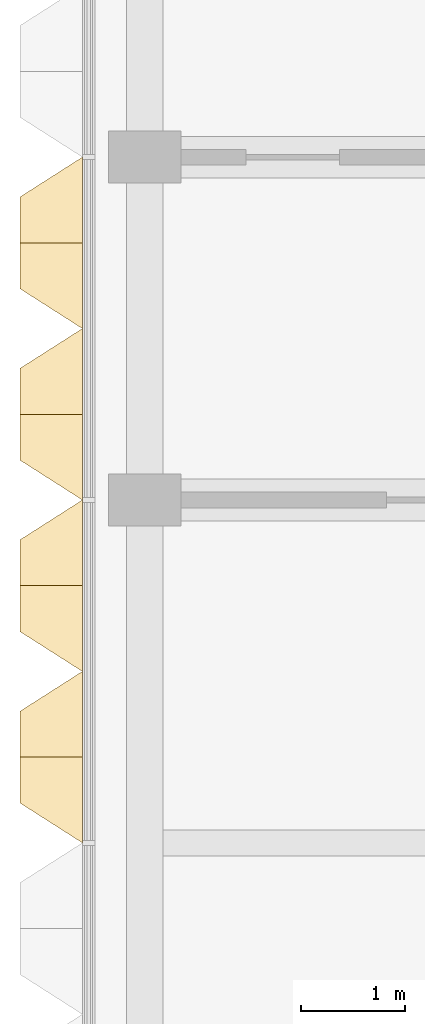
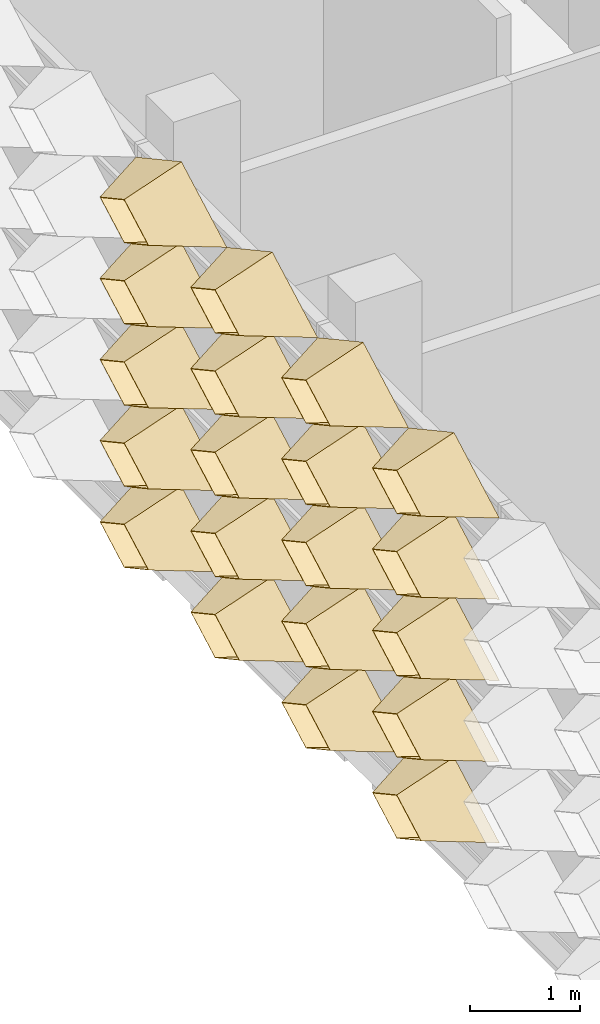
# One storey, part 19 of 28: 20 coverings.
"""IFC4 building model written with IfcOpenShell, lengths in metres."""

from ifc_helpers import new_model, entity, si_unit, direction, frame, origin, place, context, subcontext, project, spatial, material, layer, layer_set, type_object, element, save


model = new_model("IFC4")

# Units and contexts
model_context = context("Model", 3, precision=1e-05, world=origin(), true_north=direction((0.0, 1.0)))
body_context = subcontext(model_context, "Body", "Model", "MODEL_VIEW")
ifc_project = project(units=[si_unit("LENGTHUNIT", "METRE"), si_unit("AREAUNIT", "SQUARE_METRE"), si_unit("VOLUMEUNIT", "CUBIC_METRE"), si_unit("PLANEANGLEUNIT", "RADIAN"), si_unit("MASSUNIT", "GRAM", prefix="KILO")], contexts=[model_context])

# Site, building, storey
site_placement = place(None, origin())
site = spatial("IfcSite", under=ifc_project, at=site_placement, CompositionType="ELEMENT")
building_placement = place(site_placement, origin())
building = spatial("IfcBuilding", under=site, at=building_placement, Name="Lantern Court Research Institute", CompositionType="ELEMENT")
storey_placement = place(building_placement, frame((0.0, 0.0, 36.89990234375)))
storey = spatial("IfcBuildingStorey", under=building, at=storey_placement, Name="L08", CompositionType="ELEMENT", Elevation=36.89990234375)

# Coverings
ifc_material = material(Name="Anodised aluminium", Category="aluminium")
ifc_layer = layer(ifc_material, 0.01611328125)
ifc_layer_set = layer_set([ifc_layer], Name="Anodised aluminium")
covering_type = type_object("IfcCoveringType", Name="Fin cassette 1650 x 900 x 600 aluminium", PredefinedType="CLADDING", material=ifc_layer_set)
covering_1_placement = place(storey_placement, frame((52.199951171875, 7.425048828125, 0.4501953125), z_axis=(-1.0, 0.0, 0.0), x_axis=(0.0, -1.0, 0.0)))
cartesian_point_1 = entity("IfcCartesianPoint", [0.824951171875, 0.0])
cartesian_point_2 = entity("IfcCartesianPoint", [0.79150390625, 0.0])
cartesian_point_3 = entity("IfcCartesianPoint", [0.44189453125, 0.0])
cartesian_point_4 = entity("IfcCartesianPoint", [0.43359375, 0.0])
element("IfcCovering", 1, at=covering_1_placement, inside=storey, type_object=covering_type, Name="Fin cassette V5W-L08 1.5", PredefinedType="CLADDING", context=body_context, shape_type="SweptSolid", body=[
    entity("IfcExtrudedAreaSolidTapered", entity("IfcArbitraryProfileDefWithVoids", "AREA", None, entity("IfcPolyline", [cartesian_point_1, entity("IfcCartesianPoint", [0.0, 0.449951171875]), entity("IfcCartesianPoint", [-0.824951171875, 0.0]), entity("IfcCartesianPoint", [0.0, -0.449951171875]), cartesian_point_1]), [entity("IfcPolyline", [cartesian_point_2, entity("IfcCartesianPoint", [0.0, 0.431884765625]), entity("IfcCartesianPoint", [-0.79150390625, 0.0]), entity("IfcCartesianPoint", [0.0, -0.431884765625]), cartesian_point_2])]), entity("IfcAxis2Placement3D", entity("IfcCartesianPoint", [0.0, 0.0, 0.0])), entity("IfcDirection", [0.0, 0.0, 1.0]), 0.60009765625, entity("IfcArbitraryProfileDefWithVoids", "AREA", None, entity("IfcPolyline", [cartesian_point_3, entity("IfcCartesianPoint", [0.0, 0.240966796875]), entity("IfcCartesianPoint", [-0.44189453125, 0.0]), entity("IfcCartesianPoint", [0.0, -0.240966796875]), cartesian_point_3]), [entity("IfcPolyline", [cartesian_point_4, entity("IfcCartesianPoint", [0.0, 0.236572265625]), entity("IfcCartesianPoint", [-0.43359375, 0.0]), entity("IfcCartesianPoint", [0.0, -0.236572265625]), cartesian_point_4])])),
])
covering_2_placement = place(storey_placement, frame((52.199951171875, 9.074951171875, 0.4501953125), z_axis=(-1.0, 0.0, 0.0), x_axis=(0.0, -1.0, 0.0)))
cartesian_point_5 = entity("IfcCartesianPoint", [0.824951171875, 0.0])
cartesian_point_6 = entity("IfcCartesianPoint", [0.79150390625, 0.0])
cartesian_point_7 = entity("IfcCartesianPoint", [0.44189453125, 0.0])
cartesian_point_8 = entity("IfcCartesianPoint", [0.43359375, 0.0])
element("IfcCovering", 2, at=covering_2_placement, inside=storey, type_object=covering_type, Name="Fin cassette V5W-L08 1.6", PredefinedType="CLADDING", context=body_context, shape_type="SweptSolid", body=[
    entity("IfcExtrudedAreaSolidTapered", entity("IfcArbitraryProfileDefWithVoids", "AREA", None, entity("IfcPolyline", [cartesian_point_5, entity("IfcCartesianPoint", [0.0, 0.449951171875]), entity("IfcCartesianPoint", [-0.824951171875, 0.0]), entity("IfcCartesianPoint", [0.0, -0.449951171875]), cartesian_point_5]), [entity("IfcPolyline", [cartesian_point_6, entity("IfcCartesianPoint", [0.0, 0.431884765625]), entity("IfcCartesianPoint", [-0.79150390625, 0.0]), entity("IfcCartesianPoint", [0.0, -0.431884765625]), cartesian_point_6])]), entity("IfcAxis2Placement3D", entity("IfcCartesianPoint", [0.0, 0.0, 0.0])), entity("IfcDirection", [0.0, 0.0, 1.0]), 0.60009765625, entity("IfcArbitraryProfileDefWithVoids", "AREA", None, entity("IfcPolyline", [cartesian_point_7, entity("IfcCartesianPoint", [0.0, 0.240966796875]), entity("IfcCartesianPoint", [-0.44189453125, 0.0]), entity("IfcCartesianPoint", [0.0, -0.240966796875]), cartesian_point_7]), [entity("IfcPolyline", [cartesian_point_8, entity("IfcCartesianPoint", [0.0, 0.236572265625]), entity("IfcCartesianPoint", [-0.43359375, 0.0]), entity("IfcCartesianPoint", [0.0, -0.236572265625]), cartesian_point_8])])),
])
covering_3_placement = place(storey_placement, frame((52.199951171875, 10.72509765625, 0.4501953125), z_axis=(-1.0, 0.0, 0.0), x_axis=(0.0, -1.0, 0.0)))
cartesian_point_9 = entity("IfcCartesianPoint", [0.824951171875, 0.0])
cartesian_point_10 = entity("IfcCartesianPoint", [0.79150390625, 0.0])
cartesian_point_11 = entity("IfcCartesianPoint", [0.44189453125, 0.0])
cartesian_point_12 = entity("IfcCartesianPoint", [0.43359375, 0.0])
element("IfcCovering", 3, at=covering_3_placement, inside=storey, type_object=covering_type, Name="Fin cassette V5W-L08 1.7", PredefinedType="CLADDING", context=body_context, shape_type="SweptSolid", body=[
    entity("IfcExtrudedAreaSolidTapered", entity("IfcArbitraryProfileDefWithVoids", "AREA", None, entity("IfcPolyline", [cartesian_point_9, entity("IfcCartesianPoint", [0.0, 0.449951171875]), entity("IfcCartesianPoint", [-0.824951171875, 0.0]), entity("IfcCartesianPoint", [0.0, -0.449951171875]), cartesian_point_9]), [entity("IfcPolyline", [cartesian_point_10, entity("IfcCartesianPoint", [0.0, 0.431884765625]), entity("IfcCartesianPoint", [-0.79150390625, 0.0]), entity("IfcCartesianPoint", [0.0, -0.431884765625]), cartesian_point_10])]), entity("IfcAxis2Placement3D", entity("IfcCartesianPoint", [0.0, 0.0, 0.0])), entity("IfcDirection", [0.0, 0.0, 1.0]), 0.60009765625, entity("IfcArbitraryProfileDefWithVoids", "AREA", None, entity("IfcPolyline", [cartesian_point_11, entity("IfcCartesianPoint", [0.0, 0.240966796875]), entity("IfcCartesianPoint", [-0.44189453125, 0.0]), entity("IfcCartesianPoint", [0.0, -0.240966796875]), cartesian_point_11]), [entity("IfcPolyline", [cartesian_point_12, entity("IfcCartesianPoint", [0.0, 0.236572265625]), entity("IfcCartesianPoint", [-0.43359375, 0.0]), entity("IfcCartesianPoint", [0.0, -0.236572265625]), cartesian_point_12])])),
])
covering_4_placement = place(storey_placement, frame((52.199951171875, 12.375, 0.4501953125), z_axis=(-1.0, 0.0, 0.0), x_axis=(0.0, -1.0, 0.0)))
cartesian_point_13 = entity("IfcCartesianPoint", [0.824951171875, 0.0])
cartesian_point_14 = entity("IfcCartesianPoint", [0.79150390625, 0.0])
cartesian_point_15 = entity("IfcCartesianPoint", [0.44189453125, 0.0])
cartesian_point_16 = entity("IfcCartesianPoint", [0.43359375, 0.0])
element("IfcCovering", 4, at=covering_4_placement, inside=storey, type_object=covering_type, Name="Fin cassette V5W-L08 1.8", PredefinedType="CLADDING", context=body_context, shape_type="SweptSolid", body=[
    entity("IfcExtrudedAreaSolidTapered", entity("IfcArbitraryProfileDefWithVoids", "AREA", None, entity("IfcPolyline", [cartesian_point_13, entity("IfcCartesianPoint", [0.0, 0.449951171875]), entity("IfcCartesianPoint", [-0.824951171875, 0.0]), entity("IfcCartesianPoint", [0.0, -0.449951171875]), cartesian_point_13]), [entity("IfcPolyline", [cartesian_point_14, entity("IfcCartesianPoint", [0.0, 0.431884765625]), entity("IfcCartesianPoint", [-0.79150390625, 0.0]), entity("IfcCartesianPoint", [0.0, -0.431884765625]), cartesian_point_14])]), entity("IfcAxis2Placement3D", entity("IfcCartesianPoint", [0.0, 0.0, 0.0])), entity("IfcDirection", [0.0, 0.0, 1.0]), 0.60009765625, entity("IfcArbitraryProfileDefWithVoids", "AREA", None, entity("IfcPolyline", [cartesian_point_15, entity("IfcCartesianPoint", [0.0, 0.240966796875]), entity("IfcCartesianPoint", [-0.44189453125, 0.0]), entity("IfcCartesianPoint", [0.0, -0.240966796875]), cartesian_point_15]), [entity("IfcPolyline", [cartesian_point_16, entity("IfcCartesianPoint", [0.0, 0.236572265625]), entity("IfcCartesianPoint", [-0.43359375, 0.0]), entity("IfcCartesianPoint", [0.0, -0.236572265625]), cartesian_point_16])])),
])
covering_5_placement = place(storey_placement, frame((52.199951171875, 7.425048828125, 1.35009765625), z_axis=(-1.0, 0.0, 0.0), x_axis=(0.0, -1.0, 0.0)))
cartesian_point_17 = entity("IfcCartesianPoint", [0.824951171875, 0.0])
cartesian_point_18 = entity("IfcCartesianPoint", [0.79150390625, 0.0])
cartesian_point_19 = entity("IfcCartesianPoint", [0.44189453125, 0.0])
cartesian_point_20 = entity("IfcCartesianPoint", [0.43359375, 0.0])
element("IfcCovering", 5, at=covering_5_placement, inside=storey, type_object=covering_type, Name="Fin cassette V5W-L08 2.5", PredefinedType="CLADDING", context=body_context, shape_type="SweptSolid", body=[
    entity("IfcExtrudedAreaSolidTapered", entity("IfcArbitraryProfileDefWithVoids", "AREA", None, entity("IfcPolyline", [cartesian_point_17, entity("IfcCartesianPoint", [0.0, 0.449951171875]), entity("IfcCartesianPoint", [-0.824951171875, 0.0]), entity("IfcCartesianPoint", [0.0, -0.449951171875]), cartesian_point_17]), [entity("IfcPolyline", [cartesian_point_18, entity("IfcCartesianPoint", [0.0, 0.431884765625]), entity("IfcCartesianPoint", [-0.79150390625, 0.0]), entity("IfcCartesianPoint", [0.0, -0.431884765625]), cartesian_point_18])]), entity("IfcAxis2Placement3D", entity("IfcCartesianPoint", [0.0, 0.0, 0.0])), entity("IfcDirection", [0.0, 0.0, 1.0]), 0.60009765625, entity("IfcArbitraryProfileDefWithVoids", "AREA", None, entity("IfcPolyline", [cartesian_point_19, entity("IfcCartesianPoint", [0.0, 0.240966796875]), entity("IfcCartesianPoint", [-0.44189453125, 0.0]), entity("IfcCartesianPoint", [0.0, -0.240966796875]), cartesian_point_19]), [entity("IfcPolyline", [cartesian_point_20, entity("IfcCartesianPoint", [0.0, 0.236572265625]), entity("IfcCartesianPoint", [-0.43359375, 0.0]), entity("IfcCartesianPoint", [0.0, -0.236572265625]), cartesian_point_20])])),
])
covering_6_placement = place(storey_placement, frame((52.199951171875, 9.074951171875, 1.35009765625), z_axis=(-1.0, 0.0, 0.0), x_axis=(0.0, -1.0, 0.0)))
cartesian_point_21 = entity("IfcCartesianPoint", [0.824951171875, 0.0])
cartesian_point_22 = entity("IfcCartesianPoint", [0.79150390625, 0.0])
cartesian_point_23 = entity("IfcCartesianPoint", [0.44189453125, 0.0])
cartesian_point_24 = entity("IfcCartesianPoint", [0.43359375, 0.0])
element("IfcCovering", 6, at=covering_6_placement, inside=storey, type_object=covering_type, Name="Fin cassette V5W-L08 2.6", PredefinedType="CLADDING", context=body_context, shape_type="SweptSolid", body=[
    entity("IfcExtrudedAreaSolidTapered", entity("IfcArbitraryProfileDefWithVoids", "AREA", None, entity("IfcPolyline", [cartesian_point_21, entity("IfcCartesianPoint", [0.0, 0.449951171875]), entity("IfcCartesianPoint", [-0.824951171875, 0.0]), entity("IfcCartesianPoint", [0.0, -0.449951171875]), cartesian_point_21]), [entity("IfcPolyline", [cartesian_point_22, entity("IfcCartesianPoint", [0.0, 0.431884765625]), entity("IfcCartesianPoint", [-0.79150390625, 0.0]), entity("IfcCartesianPoint", [0.0, -0.431884765625]), cartesian_point_22])]), entity("IfcAxis2Placement3D", entity("IfcCartesianPoint", [0.0, 0.0, 0.0])), entity("IfcDirection", [0.0, 0.0, 1.0]), 0.60009765625, entity("IfcArbitraryProfileDefWithVoids", "AREA", None, entity("IfcPolyline", [cartesian_point_23, entity("IfcCartesianPoint", [0.0, 0.240966796875]), entity("IfcCartesianPoint", [-0.44189453125, 0.0]), entity("IfcCartesianPoint", [0.0, -0.240966796875]), cartesian_point_23]), [entity("IfcPolyline", [cartesian_point_24, entity("IfcCartesianPoint", [0.0, 0.236572265625]), entity("IfcCartesianPoint", [-0.43359375, 0.0]), entity("IfcCartesianPoint", [0.0, -0.236572265625]), cartesian_point_24])])),
])
covering_7_placement = place(storey_placement, frame((52.199951171875, 10.72509765625, 1.35009765625), z_axis=(-1.0, 0.0, 0.0), x_axis=(0.0, -1.0, 0.0)))
cartesian_point_25 = entity("IfcCartesianPoint", [0.824951171875, 0.0])
cartesian_point_26 = entity("IfcCartesianPoint", [0.79150390625, 0.0])
cartesian_point_27 = entity("IfcCartesianPoint", [0.44189453125, 0.0])
cartesian_point_28 = entity("IfcCartesianPoint", [0.43359375, 0.0])
element("IfcCovering", 7, at=covering_7_placement, inside=storey, type_object=covering_type, Name="Fin cassette V5W-L08 2.7", PredefinedType="CLADDING", context=body_context, shape_type="SweptSolid", body=[
    entity("IfcExtrudedAreaSolidTapered", entity("IfcArbitraryProfileDefWithVoids", "AREA", None, entity("IfcPolyline", [cartesian_point_25, entity("IfcCartesianPoint", [0.0, 0.449951171875]), entity("IfcCartesianPoint", [-0.824951171875, 0.0]), entity("IfcCartesianPoint", [0.0, -0.449951171875]), cartesian_point_25]), [entity("IfcPolyline", [cartesian_point_26, entity("IfcCartesianPoint", [0.0, 0.431884765625]), entity("IfcCartesianPoint", [-0.79150390625, 0.0]), entity("IfcCartesianPoint", [0.0, -0.431884765625]), cartesian_point_26])]), entity("IfcAxis2Placement3D", entity("IfcCartesianPoint", [0.0, 0.0, 0.0])), entity("IfcDirection", [0.0, 0.0, 1.0]), 0.60009765625, entity("IfcArbitraryProfileDefWithVoids", "AREA", None, entity("IfcPolyline", [cartesian_point_27, entity("IfcCartesianPoint", [0.0, 0.240966796875]), entity("IfcCartesianPoint", [-0.44189453125, 0.0]), entity("IfcCartesianPoint", [0.0, -0.240966796875]), cartesian_point_27]), [entity("IfcPolyline", [cartesian_point_28, entity("IfcCartesianPoint", [0.0, 0.236572265625]), entity("IfcCartesianPoint", [-0.43359375, 0.0]), entity("IfcCartesianPoint", [0.0, -0.236572265625]), cartesian_point_28])])),
])
covering_8_placement = place(storey_placement, frame((52.199951171875, 12.375, 1.35009765625), z_axis=(-1.0, 0.0, 0.0), x_axis=(0.0, -1.0, 0.0)))
cartesian_point_29 = entity("IfcCartesianPoint", [0.824951171875, 0.0])
cartesian_point_30 = entity("IfcCartesianPoint", [0.79150390625, 0.0])
cartesian_point_31 = entity("IfcCartesianPoint", [0.44189453125, 0.0])
cartesian_point_32 = entity("IfcCartesianPoint", [0.43359375, 0.0])
element("IfcCovering", 8, at=covering_8_placement, inside=storey, type_object=covering_type, Name="Fin cassette V5W-L08 2.8", PredefinedType="CLADDING", context=body_context, shape_type="SweptSolid", body=[
    entity("IfcExtrudedAreaSolidTapered", entity("IfcArbitraryProfileDefWithVoids", "AREA", None, entity("IfcPolyline", [cartesian_point_29, entity("IfcCartesianPoint", [0.0, 0.449951171875]), entity("IfcCartesianPoint", [-0.824951171875, 0.0]), entity("IfcCartesianPoint", [0.0, -0.449951171875]), cartesian_point_29]), [entity("IfcPolyline", [cartesian_point_30, entity("IfcCartesianPoint", [0.0, 0.431884765625]), entity("IfcCartesianPoint", [-0.79150390625, 0.0]), entity("IfcCartesianPoint", [0.0, -0.431884765625]), cartesian_point_30])]), entity("IfcAxis2Placement3D", entity("IfcCartesianPoint", [0.0, 0.0, 0.0])), entity("IfcDirection", [0.0, 0.0, 1.0]), 0.60009765625, entity("IfcArbitraryProfileDefWithVoids", "AREA", None, entity("IfcPolyline", [cartesian_point_31, entity("IfcCartesianPoint", [0.0, 0.240966796875]), entity("IfcCartesianPoint", [-0.44189453125, 0.0]), entity("IfcCartesianPoint", [0.0, -0.240966796875]), cartesian_point_31]), [entity("IfcPolyline", [cartesian_point_32, entity("IfcCartesianPoint", [0.0, 0.236572265625]), entity("IfcCartesianPoint", [-0.43359375, 0.0]), entity("IfcCartesianPoint", [0.0, -0.236572265625]), cartesian_point_32])])),
])
covering_9_placement = place(storey_placement, frame((52.199951171875, 7.425048828125, 2.25), z_axis=(-1.0, 0.0, 0.0), x_axis=(0.0, -1.0, 0.0)))
cartesian_point_33 = entity("IfcCartesianPoint", [0.824951171875, 0.0])
cartesian_point_34 = entity("IfcCartesianPoint", [0.79150390625, 0.0])
cartesian_point_35 = entity("IfcCartesianPoint", [0.44189453125, 0.0])
cartesian_point_36 = entity("IfcCartesianPoint", [0.43359375, 0.0])
element("IfcCovering", 9, at=covering_9_placement, inside=storey, type_object=covering_type, Name="Fin cassette V5W-L08 3.5", PredefinedType="CLADDING", context=body_context, shape_type="SweptSolid", body=[
    entity("IfcExtrudedAreaSolidTapered", entity("IfcArbitraryProfileDefWithVoids", "AREA", None, entity("IfcPolyline", [cartesian_point_33, entity("IfcCartesianPoint", [0.0, 0.449951171875]), entity("IfcCartesianPoint", [-0.824951171875, 0.0]), entity("IfcCartesianPoint", [0.0, -0.449951171875]), cartesian_point_33]), [entity("IfcPolyline", [cartesian_point_34, entity("IfcCartesianPoint", [0.0, 0.431884765625]), entity("IfcCartesianPoint", [-0.79150390625, 0.0]), entity("IfcCartesianPoint", [0.0, -0.431884765625]), cartesian_point_34])]), entity("IfcAxis2Placement3D", entity("IfcCartesianPoint", [0.0, 0.0, 0.0])), entity("IfcDirection", [0.0, 0.0, 1.0]), 0.60009765625, entity("IfcArbitraryProfileDefWithVoids", "AREA", None, entity("IfcPolyline", [cartesian_point_35, entity("IfcCartesianPoint", [0.0, 0.240966796875]), entity("IfcCartesianPoint", [-0.44189453125, 0.0]), entity("IfcCartesianPoint", [0.0, -0.240966796875]), cartesian_point_35]), [entity("IfcPolyline", [cartesian_point_36, entity("IfcCartesianPoint", [0.0, 0.236572265625]), entity("IfcCartesianPoint", [-0.43359375, 0.0]), entity("IfcCartesianPoint", [0.0, -0.236572265625]), cartesian_point_36])])),
])
covering_10_placement = place(storey_placement, frame((52.199951171875, 9.074951171875, 2.25), z_axis=(-1.0, 0.0, 0.0), x_axis=(0.0, -1.0, 0.0)))
cartesian_point_37 = entity("IfcCartesianPoint", [0.824951171875, 0.0])
cartesian_point_38 = entity("IfcCartesianPoint", [0.79150390625, 0.0])
cartesian_point_39 = entity("IfcCartesianPoint", [0.44189453125, 0.0])
cartesian_point_40 = entity("IfcCartesianPoint", [0.43359375, 0.0])
element("IfcCovering", 10, at=covering_10_placement, inside=storey, type_object=covering_type, Name="Fin cassette V5W-L08 3.6", PredefinedType="CLADDING", context=body_context, shape_type="SweptSolid", body=[
    entity("IfcExtrudedAreaSolidTapered", entity("IfcArbitraryProfileDefWithVoids", "AREA", None, entity("IfcPolyline", [cartesian_point_37, entity("IfcCartesianPoint", [0.0, 0.449951171875]), entity("IfcCartesianPoint", [-0.824951171875, 0.0]), entity("IfcCartesianPoint", [0.0, -0.449951171875]), cartesian_point_37]), [entity("IfcPolyline", [cartesian_point_38, entity("IfcCartesianPoint", [0.0, 0.431884765625]), entity("IfcCartesianPoint", [-0.79150390625, 0.0]), entity("IfcCartesianPoint", [0.0, -0.431884765625]), cartesian_point_38])]), entity("IfcAxis2Placement3D", entity("IfcCartesianPoint", [0.0, 0.0, 0.0])), entity("IfcDirection", [0.0, 0.0, 1.0]), 0.60009765625, entity("IfcArbitraryProfileDefWithVoids", "AREA", None, entity("IfcPolyline", [cartesian_point_39, entity("IfcCartesianPoint", [0.0, 0.240966796875]), entity("IfcCartesianPoint", [-0.44189453125, 0.0]), entity("IfcCartesianPoint", [0.0, -0.240966796875]), cartesian_point_39]), [entity("IfcPolyline", [cartesian_point_40, entity("IfcCartesianPoint", [0.0, 0.236572265625]), entity("IfcCartesianPoint", [-0.43359375, 0.0]), entity("IfcCartesianPoint", [0.0, -0.236572265625]), cartesian_point_40])])),
])
covering_11_placement = place(storey_placement, frame((52.199951171875, 10.72509765625, 2.25), z_axis=(-1.0, 0.0, 0.0), x_axis=(0.0, -1.0, 0.0)))
cartesian_point_41 = entity("IfcCartesianPoint", [0.824951171875, 0.0])
cartesian_point_42 = entity("IfcCartesianPoint", [0.79150390625, 0.0])
cartesian_point_43 = entity("IfcCartesianPoint", [0.44189453125, 0.0])
cartesian_point_44 = entity("IfcCartesianPoint", [0.43359375, 0.0])
element("IfcCovering", 11, at=covering_11_placement, inside=storey, type_object=covering_type, Name="Fin cassette V5W-L08 3.7", PredefinedType="CLADDING", context=body_context, shape_type="SweptSolid", body=[
    entity("IfcExtrudedAreaSolidTapered", entity("IfcArbitraryProfileDefWithVoids", "AREA", None, entity("IfcPolyline", [cartesian_point_41, entity("IfcCartesianPoint", [0.0, 0.449951171875]), entity("IfcCartesianPoint", [-0.824951171875, 0.0]), entity("IfcCartesianPoint", [0.0, -0.449951171875]), cartesian_point_41]), [entity("IfcPolyline", [cartesian_point_42, entity("IfcCartesianPoint", [0.0, 0.431884765625]), entity("IfcCartesianPoint", [-0.79150390625, 0.0]), entity("IfcCartesianPoint", [0.0, -0.431884765625]), cartesian_point_42])]), entity("IfcAxis2Placement3D", entity("IfcCartesianPoint", [0.0, 0.0, 0.0])), entity("IfcDirection", [0.0, 0.0, 1.0]), 0.60009765625, entity("IfcArbitraryProfileDefWithVoids", "AREA", None, entity("IfcPolyline", [cartesian_point_43, entity("IfcCartesianPoint", [0.0, 0.240966796875]), entity("IfcCartesianPoint", [-0.44189453125, 0.0]), entity("IfcCartesianPoint", [0.0, -0.240966796875]), cartesian_point_43]), [entity("IfcPolyline", [cartesian_point_44, entity("IfcCartesianPoint", [0.0, 0.236572265625]), entity("IfcCartesianPoint", [-0.43359375, 0.0]), entity("IfcCartesianPoint", [0.0, -0.236572265625]), cartesian_point_44])])),
])
covering_12_placement = place(storey_placement, frame((52.199951171875, 12.375, 2.25), z_axis=(-1.0, 0.0, 0.0), x_axis=(0.0, -1.0, 0.0)))
cartesian_point_45 = entity("IfcCartesianPoint", [0.824951171875, 0.0])
cartesian_point_46 = entity("IfcCartesianPoint", [0.79150390625, 0.0])
cartesian_point_47 = entity("IfcCartesianPoint", [0.44189453125, 0.0])
cartesian_point_48 = entity("IfcCartesianPoint", [0.43359375, 0.0])
element("IfcCovering", 12, at=covering_12_placement, inside=storey, type_object=covering_type, Name="Fin cassette V5W-L08 3.8", PredefinedType="CLADDING", context=body_context, shape_type="SweptSolid", body=[
    entity("IfcExtrudedAreaSolidTapered", entity("IfcArbitraryProfileDefWithVoids", "AREA", None, entity("IfcPolyline", [cartesian_point_45, entity("IfcCartesianPoint", [0.0, 0.449951171875]), entity("IfcCartesianPoint", [-0.824951171875, 0.0]), entity("IfcCartesianPoint", [0.0, -0.449951171875]), cartesian_point_45]), [entity("IfcPolyline", [cartesian_point_46, entity("IfcCartesianPoint", [0.0, 0.431884765625]), entity("IfcCartesianPoint", [-0.79150390625, 0.0]), entity("IfcCartesianPoint", [0.0, -0.431884765625]), cartesian_point_46])]), entity("IfcAxis2Placement3D", entity("IfcCartesianPoint", [0.0, 0.0, 0.0])), entity("IfcDirection", [0.0, 0.0, 1.0]), 0.60009765625, entity("IfcArbitraryProfileDefWithVoids", "AREA", None, entity("IfcPolyline", [cartesian_point_47, entity("IfcCartesianPoint", [0.0, 0.240966796875]), entity("IfcCartesianPoint", [-0.44189453125, 0.0]), entity("IfcCartesianPoint", [0.0, -0.240966796875]), cartesian_point_47]), [entity("IfcPolyline", [cartesian_point_48, entity("IfcCartesianPoint", [0.0, 0.236572265625]), entity("IfcCartesianPoint", [-0.43359375, 0.0]), entity("IfcCartesianPoint", [0.0, -0.236572265625]), cartesian_point_48])])),
])
covering_13_placement = place(storey_placement, frame((52.199951171875, 7.425048828125, 3.150146484375), z_axis=(-1.0, 0.0, 0.0), x_axis=(0.0, -1.0, 0.0)))
cartesian_point_49 = entity("IfcCartesianPoint", [0.824951171875, 0.0])
cartesian_point_50 = entity("IfcCartesianPoint", [0.79150390625, 0.0])
cartesian_point_51 = entity("IfcCartesianPoint", [0.44189453125, 0.0])
cartesian_point_52 = entity("IfcCartesianPoint", [0.43359375, 0.0])
element("IfcCovering", 13, at=covering_13_placement, inside=storey, type_object=covering_type, Name="Fin cassette V5W-L08 4.5", PredefinedType="CLADDING", context=body_context, shape_type="SweptSolid", body=[
    entity("IfcExtrudedAreaSolidTapered", entity("IfcArbitraryProfileDefWithVoids", "AREA", None, entity("IfcPolyline", [cartesian_point_49, entity("IfcCartesianPoint", [0.0, 0.449951171875]), entity("IfcCartesianPoint", [-0.824951171875, 0.0]), entity("IfcCartesianPoint", [0.0, -0.449951171875]), cartesian_point_49]), [entity("IfcPolyline", [cartesian_point_50, entity("IfcCartesianPoint", [0.0, 0.431884765625]), entity("IfcCartesianPoint", [-0.79150390625, 0.0]), entity("IfcCartesianPoint", [0.0, -0.431884765625]), cartesian_point_50])]), entity("IfcAxis2Placement3D", entity("IfcCartesianPoint", [0.0, 0.0, 0.0])), entity("IfcDirection", [0.0, 0.0, 1.0]), 0.60009765625, entity("IfcArbitraryProfileDefWithVoids", "AREA", None, entity("IfcPolyline", [cartesian_point_51, entity("IfcCartesianPoint", [0.0, 0.240966796875]), entity("IfcCartesianPoint", [-0.44189453125, 0.0]), entity("IfcCartesianPoint", [0.0, -0.240966796875]), cartesian_point_51]), [entity("IfcPolyline", [cartesian_point_52, entity("IfcCartesianPoint", [0.0, 0.236572265625]), entity("IfcCartesianPoint", [-0.43359375, 0.0]), entity("IfcCartesianPoint", [0.0, -0.236572265625]), cartesian_point_52])])),
])
covering_14_placement = place(storey_placement, frame((52.199951171875, 9.074951171875, 3.150146484375), z_axis=(-1.0, 0.0, 0.0), x_axis=(0.0, -1.0, 0.0)))
cartesian_point_53 = entity("IfcCartesianPoint", [0.824951171875, 0.0])
cartesian_point_54 = entity("IfcCartesianPoint", [0.79150390625, 0.0])
cartesian_point_55 = entity("IfcCartesianPoint", [0.44189453125, 0.0])
cartesian_point_56 = entity("IfcCartesianPoint", [0.43359375, 0.0])
element("IfcCovering", 14, at=covering_14_placement, inside=storey, type_object=covering_type, Name="Fin cassette V5W-L08 4.6", PredefinedType="CLADDING", context=body_context, shape_type="SweptSolid", body=[
    entity("IfcExtrudedAreaSolidTapered", entity("IfcArbitraryProfileDefWithVoids", "AREA", None, entity("IfcPolyline", [cartesian_point_53, entity("IfcCartesianPoint", [0.0, 0.449951171875]), entity("IfcCartesianPoint", [-0.824951171875, 0.0]), entity("IfcCartesianPoint", [0.0, -0.449951171875]), cartesian_point_53]), [entity("IfcPolyline", [cartesian_point_54, entity("IfcCartesianPoint", [0.0, 0.431884765625]), entity("IfcCartesianPoint", [-0.79150390625, 0.0]), entity("IfcCartesianPoint", [0.0, -0.431884765625]), cartesian_point_54])]), entity("IfcAxis2Placement3D", entity("IfcCartesianPoint", [0.0, 0.0, 0.0])), entity("IfcDirection", [0.0, 0.0, 1.0]), 0.60009765625, entity("IfcArbitraryProfileDefWithVoids", "AREA", None, entity("IfcPolyline", [cartesian_point_55, entity("IfcCartesianPoint", [0.0, 0.240966796875]), entity("IfcCartesianPoint", [-0.44189453125, 0.0]), entity("IfcCartesianPoint", [0.0, -0.240966796875]), cartesian_point_55]), [entity("IfcPolyline", [cartesian_point_56, entity("IfcCartesianPoint", [0.0, 0.236572265625]), entity("IfcCartesianPoint", [-0.43359375, 0.0]), entity("IfcCartesianPoint", [0.0, -0.236572265625]), cartesian_point_56])])),
])
covering_15_placement = place(storey_placement, frame((52.199951171875, 10.72509765625, 3.150146484375), z_axis=(-1.0, 0.0, 0.0), x_axis=(0.0, -1.0, 0.0)))
cartesian_point_57 = entity("IfcCartesianPoint", [0.824951171875, 0.0])
cartesian_point_58 = entity("IfcCartesianPoint", [0.79150390625, 0.0])
cartesian_point_59 = entity("IfcCartesianPoint", [0.44189453125, 0.0])
cartesian_point_60 = entity("IfcCartesianPoint", [0.43359375, 0.0])
element("IfcCovering", 15, at=covering_15_placement, inside=storey, type_object=covering_type, Name="Fin cassette V5W-L08 4.7", PredefinedType="CLADDING", context=body_context, shape_type="SweptSolid", body=[
    entity("IfcExtrudedAreaSolidTapered", entity("IfcArbitraryProfileDefWithVoids", "AREA", None, entity("IfcPolyline", [cartesian_point_57, entity("IfcCartesianPoint", [0.0, 0.449951171875]), entity("IfcCartesianPoint", [-0.824951171875, 0.0]), entity("IfcCartesianPoint", [0.0, -0.449951171875]), cartesian_point_57]), [entity("IfcPolyline", [cartesian_point_58, entity("IfcCartesianPoint", [0.0, 0.431884765625]), entity("IfcCartesianPoint", [-0.79150390625, 0.0]), entity("IfcCartesianPoint", [0.0, -0.431884765625]), cartesian_point_58])]), entity("IfcAxis2Placement3D", entity("IfcCartesianPoint", [0.0, 0.0, 0.0])), entity("IfcDirection", [0.0, 0.0, 1.0]), 0.60009765625, entity("IfcArbitraryProfileDefWithVoids", "AREA", None, entity("IfcPolyline", [cartesian_point_59, entity("IfcCartesianPoint", [0.0, 0.240966796875]), entity("IfcCartesianPoint", [-0.44189453125, 0.0]), entity("IfcCartesianPoint", [0.0, -0.240966796875]), cartesian_point_59]), [entity("IfcPolyline", [cartesian_point_60, entity("IfcCartesianPoint", [0.0, 0.236572265625]), entity("IfcCartesianPoint", [-0.43359375, 0.0]), entity("IfcCartesianPoint", [0.0, -0.236572265625]), cartesian_point_60])])),
])
covering_16_placement = place(storey_placement, frame((52.199951171875, 12.375, 3.150146484375), z_axis=(-1.0, 0.0, 0.0), x_axis=(0.0, -1.0, 0.0)))
cartesian_point_61 = entity("IfcCartesianPoint", [0.824951171875, 0.0])
cartesian_point_62 = entity("IfcCartesianPoint", [0.79150390625, 0.0])
cartesian_point_63 = entity("IfcCartesianPoint", [0.44189453125, 0.0])
cartesian_point_64 = entity("IfcCartesianPoint", [0.43359375, 0.0])
element("IfcCovering", 16, at=covering_16_placement, inside=storey, type_object=covering_type, Name="Fin cassette V5W-L08 4.8", PredefinedType="CLADDING", context=body_context, shape_type="SweptSolid", body=[
    entity("IfcExtrudedAreaSolidTapered", entity("IfcArbitraryProfileDefWithVoids", "AREA", None, entity("IfcPolyline", [cartesian_point_61, entity("IfcCartesianPoint", [0.0, 0.449951171875]), entity("IfcCartesianPoint", [-0.824951171875, 0.0]), entity("IfcCartesianPoint", [0.0, -0.449951171875]), cartesian_point_61]), [entity("IfcPolyline", [cartesian_point_62, entity("IfcCartesianPoint", [0.0, 0.431884765625]), entity("IfcCartesianPoint", [-0.79150390625, 0.0]), entity("IfcCartesianPoint", [0.0, -0.431884765625]), cartesian_point_62])]), entity("IfcAxis2Placement3D", entity("IfcCartesianPoint", [0.0, 0.0, 0.0])), entity("IfcDirection", [0.0, 0.0, 1.0]), 0.60009765625, entity("IfcArbitraryProfileDefWithVoids", "AREA", None, entity("IfcPolyline", [cartesian_point_63, entity("IfcCartesianPoint", [0.0, 0.240966796875]), entity("IfcCartesianPoint", [-0.44189453125, 0.0]), entity("IfcCartesianPoint", [0.0, -0.240966796875]), cartesian_point_63]), [entity("IfcPolyline", [cartesian_point_64, entity("IfcCartesianPoint", [0.0, 0.236572265625]), entity("IfcCartesianPoint", [-0.43359375, 0.0]), entity("IfcCartesianPoint", [0.0, -0.236572265625]), cartesian_point_64])])),
])
covering_17_placement = place(storey_placement, frame((52.199951171875, 7.425048828125, 4.050048828125), z_axis=(-1.0, 0.0, 0.0), x_axis=(0.0, -1.0, 0.0)))
cartesian_point_65 = entity("IfcCartesianPoint", [0.824951171875, 0.0])
cartesian_point_66 = entity("IfcCartesianPoint", [0.79150390625, 0.0])
cartesian_point_67 = entity("IfcCartesianPoint", [0.44189453125, 0.0])
cartesian_point_68 = entity("IfcCartesianPoint", [0.43359375, 0.0])
element("IfcCovering", 17, at=covering_17_placement, inside=storey, type_object=covering_type, Name="Fin cassette V5W-L08 5.5", PredefinedType="CLADDING", context=body_context, shape_type="SweptSolid", body=[
    entity("IfcExtrudedAreaSolidTapered", entity("IfcArbitraryProfileDefWithVoids", "AREA", None, entity("IfcPolyline", [cartesian_point_65, entity("IfcCartesianPoint", [0.0, 0.449951171875]), entity("IfcCartesianPoint", [-0.824951171875, 0.0]), entity("IfcCartesianPoint", [0.0, -0.449951171875]), cartesian_point_65]), [entity("IfcPolyline", [cartesian_point_66, entity("IfcCartesianPoint", [0.0, 0.431884765625]), entity("IfcCartesianPoint", [-0.79150390625, 0.0]), entity("IfcCartesianPoint", [0.0, -0.431884765625]), cartesian_point_66])]), entity("IfcAxis2Placement3D", entity("IfcCartesianPoint", [0.0, 0.0, 0.0])), entity("IfcDirection", [0.0, 0.0, 1.0]), 0.60009765625, entity("IfcArbitraryProfileDefWithVoids", "AREA", None, entity("IfcPolyline", [cartesian_point_67, entity("IfcCartesianPoint", [0.0, 0.240966796875]), entity("IfcCartesianPoint", [-0.44189453125, 0.0]), entity("IfcCartesianPoint", [0.0, -0.240966796875]), cartesian_point_67]), [entity("IfcPolyline", [cartesian_point_68, entity("IfcCartesianPoint", [0.0, 0.236572265625]), entity("IfcCartesianPoint", [-0.43359375, 0.0]), entity("IfcCartesianPoint", [0.0, -0.236572265625]), cartesian_point_68])])),
])
covering_18_placement = place(storey_placement, frame((52.199951171875, 9.074951171875, 4.050048828125), z_axis=(-1.0, 0.0, 0.0), x_axis=(0.0, -1.0, 0.0)))
cartesian_point_69 = entity("IfcCartesianPoint", [0.824951171875, 0.0])
cartesian_point_70 = entity("IfcCartesianPoint", [0.79150390625, 0.0])
cartesian_point_71 = entity("IfcCartesianPoint", [0.44189453125, 0.0])
cartesian_point_72 = entity("IfcCartesianPoint", [0.43359375, 0.0])
element("IfcCovering", 18, at=covering_18_placement, inside=storey, type_object=covering_type, Name="Fin cassette V5W-L08 5.6", PredefinedType="CLADDING", context=body_context, shape_type="SweptSolid", body=[
    entity("IfcExtrudedAreaSolidTapered", entity("IfcArbitraryProfileDefWithVoids", "AREA", None, entity("IfcPolyline", [cartesian_point_69, entity("IfcCartesianPoint", [0.0, 0.449951171875]), entity("IfcCartesianPoint", [-0.824951171875, 0.0]), entity("IfcCartesianPoint", [0.0, -0.449951171875]), cartesian_point_69]), [entity("IfcPolyline", [cartesian_point_70, entity("IfcCartesianPoint", [0.0, 0.431884765625]), entity("IfcCartesianPoint", [-0.79150390625, 0.0]), entity("IfcCartesianPoint", [0.0, -0.431884765625]), cartesian_point_70])]), entity("IfcAxis2Placement3D", entity("IfcCartesianPoint", [0.0, 0.0, 0.0])), entity("IfcDirection", [0.0, 0.0, 1.0]), 0.60009765625, entity("IfcArbitraryProfileDefWithVoids", "AREA", None, entity("IfcPolyline", [cartesian_point_71, entity("IfcCartesianPoint", [0.0, 0.240966796875]), entity("IfcCartesianPoint", [-0.44189453125, 0.0]), entity("IfcCartesianPoint", [0.0, -0.240966796875]), cartesian_point_71]), [entity("IfcPolyline", [cartesian_point_72, entity("IfcCartesianPoint", [0.0, 0.236572265625]), entity("IfcCartesianPoint", [-0.43359375, 0.0]), entity("IfcCartesianPoint", [0.0, -0.236572265625]), cartesian_point_72])])),
])
covering_19_placement = place(storey_placement, frame((52.199951171875, 10.72509765625, 4.050048828125), z_axis=(-1.0, 0.0, 0.0), x_axis=(0.0, -1.0, 0.0)))
cartesian_point_73 = entity("IfcCartesianPoint", [0.824951171875, 0.0])
cartesian_point_74 = entity("IfcCartesianPoint", [0.79150390625, 0.0])
cartesian_point_75 = entity("IfcCartesianPoint", [0.44189453125, 0.0])
cartesian_point_76 = entity("IfcCartesianPoint", [0.43359375, 0.0])
element("IfcCovering", 19, at=covering_19_placement, inside=storey, type_object=covering_type, Name="Fin cassette V5W-L08 5.7", PredefinedType="CLADDING", context=body_context, shape_type="SweptSolid", body=[
    entity("IfcExtrudedAreaSolidTapered", entity("IfcArbitraryProfileDefWithVoids", "AREA", None, entity("IfcPolyline", [cartesian_point_73, entity("IfcCartesianPoint", [0.0, 0.449951171875]), entity("IfcCartesianPoint", [-0.824951171875, 0.0]), entity("IfcCartesianPoint", [0.0, -0.449951171875]), cartesian_point_73]), [entity("IfcPolyline", [cartesian_point_74, entity("IfcCartesianPoint", [0.0, 0.431884765625]), entity("IfcCartesianPoint", [-0.79150390625, 0.0]), entity("IfcCartesianPoint", [0.0, -0.431884765625]), cartesian_point_74])]), entity("IfcAxis2Placement3D", entity("IfcCartesianPoint", [0.0, 0.0, 0.0])), entity("IfcDirection", [0.0, 0.0, 1.0]), 0.60009765625, entity("IfcArbitraryProfileDefWithVoids", "AREA", None, entity("IfcPolyline", [cartesian_point_75, entity("IfcCartesianPoint", [0.0, 0.240966796875]), entity("IfcCartesianPoint", [-0.44189453125, 0.0]), entity("IfcCartesianPoint", [0.0, -0.240966796875]), cartesian_point_75]), [entity("IfcPolyline", [cartesian_point_76, entity("IfcCartesianPoint", [0.0, 0.236572265625]), entity("IfcCartesianPoint", [-0.43359375, 0.0]), entity("IfcCartesianPoint", [0.0, -0.236572265625]), cartesian_point_76])])),
])
covering_20_placement = place(storey_placement, frame((52.199951171875, 12.375, 4.050048828125), z_axis=(-1.0, 0.0, 0.0), x_axis=(0.0, -1.0, 0.0)))
cartesian_point_77 = entity("IfcCartesianPoint", [0.824951171875, 0.0])
cartesian_point_78 = entity("IfcCartesianPoint", [0.79150390625, 0.0])
cartesian_point_79 = entity("IfcCartesianPoint", [0.44189453125, 0.0])
cartesian_point_80 = entity("IfcCartesianPoint", [0.43359375, 0.0])
element("IfcCovering", 20, at=covering_20_placement, inside=storey, type_object=covering_type, Name="Fin cassette V5W-L08 5.8", PredefinedType="CLADDING", context=body_context, shape_type="SweptSolid", body=[
    entity("IfcExtrudedAreaSolidTapered", entity("IfcArbitraryProfileDefWithVoids", "AREA", None, entity("IfcPolyline", [cartesian_point_77, entity("IfcCartesianPoint", [0.0, 0.449951171875]), entity("IfcCartesianPoint", [-0.824951171875, 0.0]), entity("IfcCartesianPoint", [0.0, -0.449951171875]), cartesian_point_77]), [entity("IfcPolyline", [cartesian_point_78, entity("IfcCartesianPoint", [0.0, 0.431884765625]), entity("IfcCartesianPoint", [-0.79150390625, 0.0]), entity("IfcCartesianPoint", [0.0, -0.431884765625]), cartesian_point_78])]), entity("IfcAxis2Placement3D", entity("IfcCartesianPoint", [0.0, 0.0, 0.0])), entity("IfcDirection", [0.0, 0.0, 1.0]), 0.60009765625, entity("IfcArbitraryProfileDefWithVoids", "AREA", None, entity("IfcPolyline", [cartesian_point_79, entity("IfcCartesianPoint", [0.0, 0.240966796875]), entity("IfcCartesianPoint", [-0.44189453125, 0.0]), entity("IfcCartesianPoint", [0.0, -0.240966796875]), cartesian_point_79]), [entity("IfcPolyline", [cartesian_point_80, entity("IfcCartesianPoint", [0.0, 0.236572265625]), entity("IfcCartesianPoint", [-0.43359375, 0.0]), entity("IfcCartesianPoint", [0.0, -0.236572265625]), cartesian_point_80])])),
])

save(model, "model.ifc")
